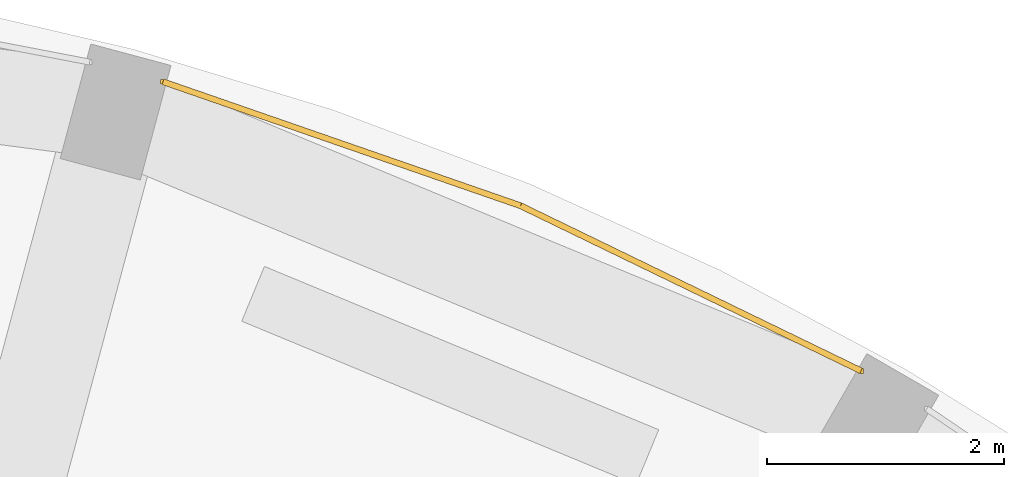
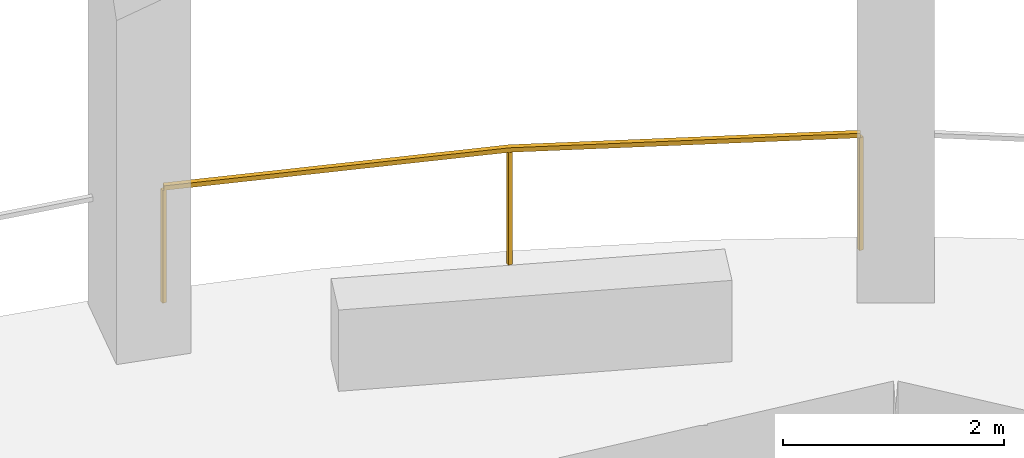
# One storey, part 9 of 9: 1 railing.
"""IFC4 building model written with IfcOpenShell, lengths in metres."""

from ifc_helpers import new_model, si_unit, direction, frame, origin, origin_2d, place, context, subcontext, project, spatial, rectangle, extrude, material, type_object, element, save


model = new_model("IFC4")

# Units and contexts
model_context = context("Model", 3, precision=1e-05, world=origin(), true_north=direction((0.0, 1.0)))
body_context = subcontext(model_context, "Body", "Model", "MODEL_VIEW")
ifc_project = project(units=[si_unit("LENGTHUNIT", "METRE"), si_unit("AREAUNIT", "SQUARE_METRE"), si_unit("VOLUMEUNIT", "CUBIC_METRE"), si_unit("PLANEANGLEUNIT", "RADIAN"), si_unit("MASSUNIT", "GRAM", prefix="KILO")], contexts=[model_context])

# Site, building, storey
site_placement = place(None, origin())
site = spatial("IfcSite", under=ifc_project, at=site_placement, CompositionType="ELEMENT")
building_placement = place(site_placement, origin())
building = spatial("IfcBuilding", under=site, at=building_placement, Name="Torre Triforio", CompositionType="ELEMENT")
storey_placement = place(building_placement, frame((0.0, 0.0, 67.0)))
storey = spatial("IfcBuildingStorey", under=building, at=storey_placement, Name="L14", CompositionType="ELEMENT", Elevation=67.0)

# Railing
ifc_material = material(Name="Stainless steel AISI 316", Category="steel")
railing_type = type_object("IfcRailingType", Name="Loggia guard 1300", PredefinedType="GUARDRAIL", material=ifc_material)
railing_placement = place(storey_placement, frame((13.14794921875, 23.412841796875, 0.0)))
element("IfcRailing", 1, at=railing_placement, inside=storey, type_object=railing_type, Name="Loggia guard L14 bay 05", PredefinedType="GUARDRAIL", context=body_context, shape_type="SweptSolid", body=[
    extrude(rectangle(XDim=0.050048828125, YDim=0.050048828125, at=origin_2d()), frame((0.0, 0.0, 1.27490234375), z_axis=(-0.899760432952, 0.436384192305, 0.0), x_axis=(-0.436384192305, -0.899760432952, 0.0)), (0.0, 0.0, 1.0), 3.19287109375),
    extrude(rectangle(XDim=0.050048828125, YDim=0.050048828125, at=origin_2d()), frame((-2.872802734375, 1.393310546875, 1.27490234375), z_axis=(-0.94480685358, 0.327627852034, 0.0), x_axis=(-0.327627852034, -0.94480685358, 0.0)), (0.0, 0.0, 1.0), 3.193115234375),
    extrude(rectangle(XDim=0.0400390625, YDim=0.0400390625, at=origin_2d()), origin(), (0.0, 0.0, 1.0), 1.25),
    extrude(rectangle(XDim=0.0400390625, YDim=0.0400390625, at=origin_2d()), frame((-2.872802734375, 1.393310546875, 0.0)), (0.0, 0.0, 1.0), 1.25),
    extrude(rectangle(XDim=0.0400390625, YDim=0.0400390625, at=origin_2d()), frame((-5.8896484375, 2.439453125, 0.0)), (0.0, 0.0, 1.0), 1.25),
])

save(model, "model.ifc")
